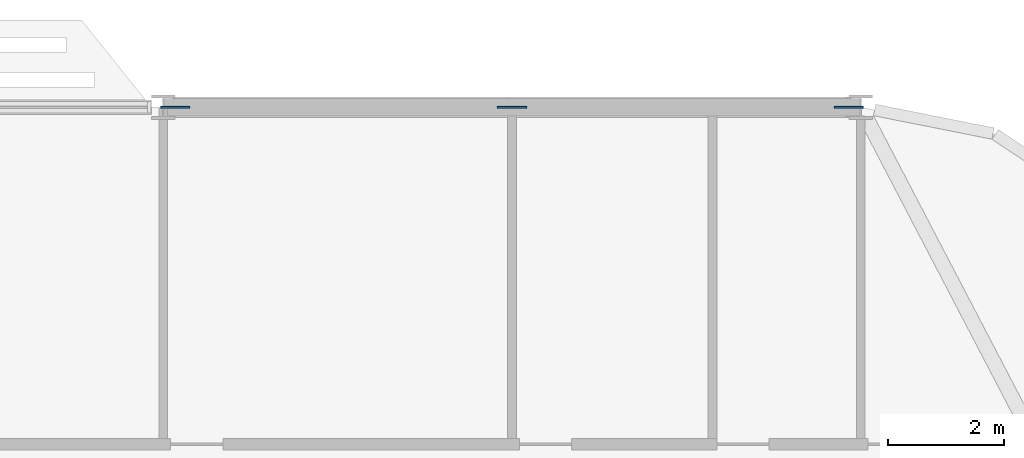
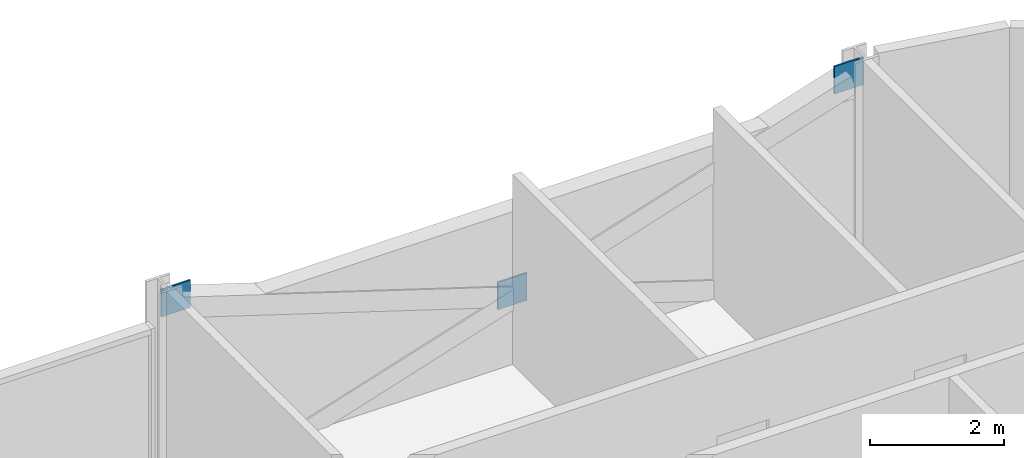
# One storey, part 21 of 27: 3 discrete accessories.
"""IFC4 building model written with IfcOpenShell, lengths in metres."""

from ifc_helpers import new_model, si_unit, direction, frame, origin, origin_2d, place, context, subcontext, project, spatial, rectangle, extrude, material, layer, layer_set, type_object, element, save


model = new_model("IFC4")

# Units and contexts
model_context = context("Model", 3, precision=1e-05, world=origin(), true_north=direction((0.0, 1.0)))
body_context = subcontext(model_context, "Body", "Model", "MODEL_VIEW")
ifc_project = project(units=[si_unit("LENGTHUNIT", "METRE"), si_unit("AREAUNIT", "SQUARE_METRE"), si_unit("VOLUMEUNIT", "CUBIC_METRE"), si_unit("PLANEANGLEUNIT", "RADIAN"), si_unit("MASSUNIT", "GRAM", prefix="KILO")], contexts=[model_context])

# Site, building, storey
site_placement = place(None, origin())
site = spatial("IfcSite", under=ifc_project, at=site_placement, CompositionType="ELEMENT")
building_placement = place(site_placement, origin())
building = spatial("IfcBuilding", under=site, at=building_placement, Name="Mahtab Terrace Research Tower", CompositionType="ELEMENT")
storey_placement = place(building_placement, frame((0.0, 0.0, 182.0)))
storey = spatial("IfcBuildingStorey", under=building, at=storey_placement, Name="L43", CompositionType="ELEMENT", Elevation=182.0)

# Discrete accessories
ifc_material = material(Name="Steel ASTM A992 Gr 50", Category="steel")
ifc_layer = layer(ifc_material, 0.030029296875)
ifc_layer_set = layer_set([ifc_layer], Name="Gusset plate 500x500x30")
discrete_accessory_type = type_object("IfcDiscreteAccessoryType", Name="Gusset plate 500x500x30", PredefinedType="USERDEFINED", material=ifc_layer_set)
for number, where, z_axis, x_axis, name in (
    (1, (30.203125, 23.0, 2.870361328125), (0.0, 0.0, 1.0), (1.0, 0.0, 0.0), "Gusset plate"),
    (2, (36.0, 23.0, 0.970947265625), (0.0, 0.0, 1.0), (1.0, 0.0, 0.0), "Gusset plate"),
    (3, (41.796875, 23.0, 2.870361328125), (0.0, 0.0, 1.0), (1.0, 0.0, 0.0), "Gusset plate"),
):
    element("IfcDiscreteAccessory", number, at=place(storey_placement, frame(where, z_axis=z_axis, x_axis=x_axis)), inside=storey, type_object=discrete_accessory_type, Name=name, ObjectType="GUSSET PLATE", PredefinedType="USERDEFINED", context=body_context, shape_type="SweptSolid", body=[
        extrude(rectangle(XDim=0.5, YDim=0.030029296875, at=origin_2d()), origin(), (0.0, 0.0, 1.0), 0.5),
    ])

save(model, "model.ifc")
